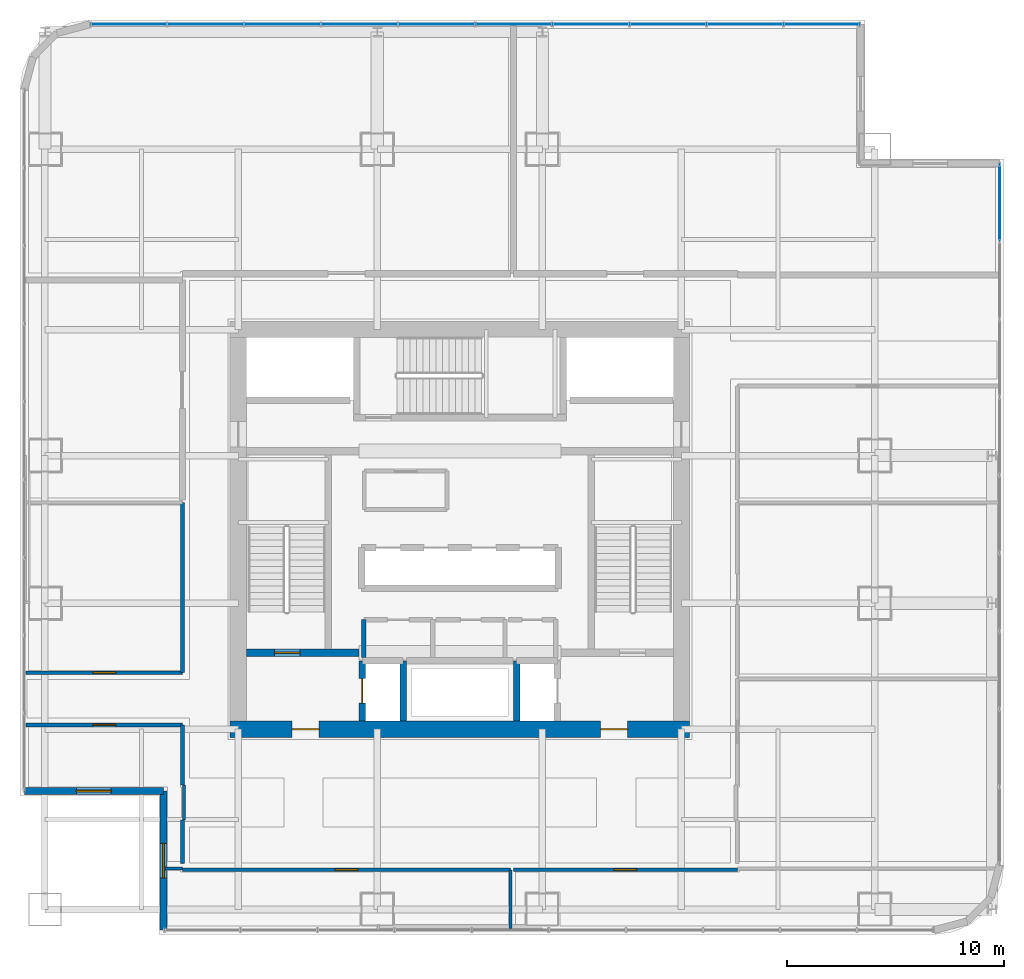
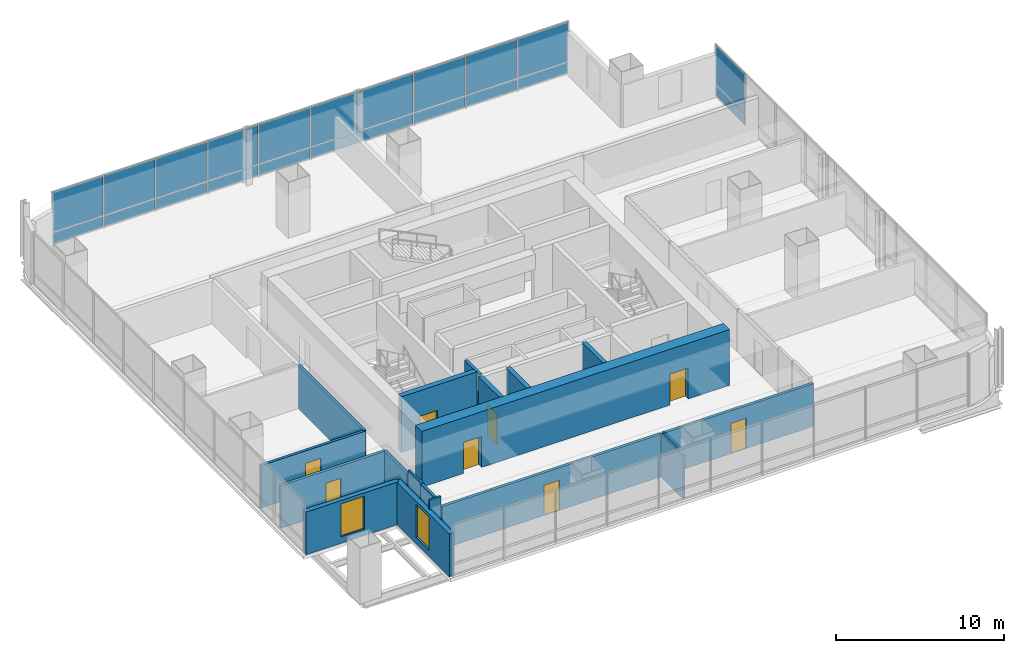
# One storey, part 27 of 35: 22 plates, 18 walls, 8 doors, 2 windows, 10 openings, 2 elements without a shape of their own.
"""IFC4 building model written with IfcOpenShell, lengths in metres."""

from ifc_helpers import new_model, si_unit, direction, frame, frame_2d, origin, origin_2d, place, context, subcontext, project, spatial, rectangle, extrude, material, layer, layer_set, type_object, element, fill, aggregate, save


model = new_model("IFC4")

# Units and contexts
model_context = context("Model", 3, precision=1e-05, world=origin(), true_north=direction((0.0, 1.0)))
body_context = subcontext(model_context, "Body", "Model", "MODEL_VIEW")
ifc_project = project(units=[si_unit("LENGTHUNIT", "METRE"), si_unit("AREAUNIT", "SQUARE_METRE"), si_unit("VOLUMEUNIT", "CUBIC_METRE"), si_unit("PLANEANGLEUNIT", "RADIAN"), si_unit("MASSUNIT", "GRAM", prefix="KILO")], contexts=[model_context])

# Site, building, storey
site_placement = place(None, origin())
site = spatial("IfcSite", under=ifc_project, at=site_placement, CompositionType="ELEMENT")
building_placement = place(site_placement, origin())
building = spatial("IfcBuilding", under=site, at=building_placement, Name="Punatoya Terracotta Tower", CompositionType="ELEMENT")
storey_placement = place(building_placement, frame((0.0, 0.0, 113.25)))
storey = spatial("IfcBuildingStorey", under=building, at=storey_placement, Name="L26", CompositionType="ELEMENT", Elevation=113.25)

# Curtain wall, plate
ifc_material_1 = material(Name="Aluminium 6063-T6 + Double Low-E Glass", Category="aluminium")
curtain_wall_type = type_object("IfcCurtainWallType", Name="CW-M1", PredefinedType="NOTDEFINED", material=ifc_material_1)
curtain_wall_1_placement = place(storey_placement, origin())
curtain_wall_1 = element("IfcCurtainWall", 1, at=curtain_wall_1_placement, inside=storey, type_object=curtain_wall_type, Name="L26 Curtain Wall CW-L26-E05-1", PredefinedType="NOTDEFINED")
ifc_material_2 = material(Name="Double Low-E Clear Vision Glass", Category="glass")
ifc_layer_1 = layer(ifc_material_2, 0.028076171875)
ifc_layer_set_1 = layer_set([ifc_layer_1], Name="Double Low-E Clear Vision Glass")
plate_type_1 = type_object("IfcPlateType", Name="PLT-GLZ-28", PredefinedType="CURTAIN_PANEL", material=ifc_layer_set_1)
plate_1_placement = place(storey_placement, frame((24.85009765625, 15.056396484375, 0.89013671875), z_axis=(0.0, 0.0, 1.0), x_axis=(0.0, 1.0, 0.0)))
plate_1 = element("IfcPlate", 2, at=plate_1_placement, type_object=plate_type_1, Name="CW-L26-E05-1 Vision Glass Panel 9", PredefinedType="CURTAIN_PANEL", context=body_context, shape_type="SweptSolid", body=[
    extrude(rectangle(XDim=3.50244140625, YDim=0.028076171875, at=origin_2d()), origin(), (0.0, 0.0, 1.0), 2.8798828125),
])

# Curtain wall, plates
curtain_wall_2_placement = place(storey_placement, origin())
curtain_wall_2 = element("IfcCurtainWall", 3, at=curtain_wall_2_placement, inside=storey, type_object=curtain_wall_type, Name="L26 Curtain Wall CW-L26-N08-1", PredefinedType="NOTDEFINED")
plate_2_placement = place(storey_placement, frame((16.67578125, 23.25, 0.89013671875), z_axis=(0.0, 0.0, 1.0), x_axis=(-1.0, 0.0, 0.0)))
plate_2 = element("IfcPlate", 4, at=plate_2_placement, type_object=plate_type_1, Name="CW-L26-N08-1 Vision Glass Panel 1", PredefinedType="CURTAIN_PANEL", context=body_context, shape_type="SweptSolid", body=[
    extrude(rectangle(XDim=3.463623046875, YDim=0.028076171875, at=origin_2d()), origin(), (0.0, 0.0, 1.0), 2.8798828125),
])
plate_3_placement = place(storey_placement, frame((13.126953125, 23.25, 0.89013671875), z_axis=(0.0, 0.0, 1.0), x_axis=(-1.0, 0.0, 0.0)))
plate_3 = element("IfcPlate", 5, at=plate_3_placement, type_object=plate_type_1, Name="CW-L26-N08-1 Vision Glass Panel 2", PredefinedType="CURTAIN_PANEL", context=body_context, shape_type="SweptSolid", body=[
    extrude(rectangle(XDim=3.463623046875, YDim=0.028076171875, at=origin_2d()), origin(), (0.0, 0.0, 1.0), 2.8798828125),
])
plate_4_placement = place(storey_placement, frame((9.578369140625, 23.25, 0.89013671875), z_axis=(0.0, 0.0, 1.0), x_axis=(-1.0, 0.0, 0.0)))
plate_4 = element("IfcPlate", 6, at=plate_4_placement, type_object=plate_type_1, Name="CW-L26-N08-1 Vision Glass Panel 3", PredefinedType="CURTAIN_PANEL", context=body_context, shape_type="SweptSolid", body=[
    extrude(rectangle(XDim=3.463623046875, YDim=0.028076171875, at=origin_2d()), origin(), (0.0, 0.0, 1.0), 2.8798828125),
])
plate_5_placement = place(storey_placement, frame((6.029541015625, 23.25, 0.89013671875), z_axis=(0.0, 0.0, 1.0), x_axis=(-1.0, 0.0, 0.0)))
plate_5 = element("IfcPlate", 7, at=plate_5_placement, type_object=plate_type_1, Name="CW-L26-N08-1 Vision Glass Panel 4", PredefinedType="CURTAIN_PANEL", context=body_context, shape_type="SweptSolid", body=[
    extrude(rectangle(XDim=3.463623046875, YDim=0.028076171875, at=origin_2d()), origin(), (0.0, 0.0, 1.0), 2.8798828125),
])
plate_6_placement = place(storey_placement, frame((2.48095703125, 23.25, 0.89013671875), z_axis=(0.0, 0.0, 1.0), x_axis=(-1.0, 0.0, 0.0)))
plate_6 = element("IfcPlate", 8, at=plate_6_placement, type_object=plate_type_1, Name="CW-L26-N08-1 Vision Glass Panel 5", PredefinedType="CURTAIN_PANEL", context=body_context, shape_type="SweptSolid", body=[
    extrude(rectangle(XDim=3.463623046875, YDim=0.028076171875, at=origin_2d()), origin(), (0.0, 0.0, 1.0), 2.8798828125),
])
plate_7_placement = place(storey_placement, frame((-1.06787109375, 23.25, 0.89013671875), z_axis=(0.0, 0.0, 1.0), x_axis=(-1.0, 0.0, 0.0)))
plate_7 = element("IfcPlate", 9, at=plate_7_placement, type_object=plate_type_1, Name="CW-L26-N08-1 Vision Glass Panel 6", PredefinedType="CURTAIN_PANEL", context=body_context, shape_type="SweptSolid", body=[
    extrude(rectangle(XDim=3.463623046875, YDim=0.028076171875, at=origin_2d()), origin(), (0.0, 0.0, 1.0), 2.8798828125),
])
plate_8_placement = place(storey_placement, frame((-4.616455078125, 23.25, 0.89013671875), z_axis=(0.0, 0.0, 1.0), x_axis=(-1.0, 0.0, 0.0)))
plate_8 = element("IfcPlate", 10, at=plate_8_placement, type_object=plate_type_1, Name="CW-L26-N08-1 Vision Glass Panel 7", PredefinedType="CURTAIN_PANEL", context=body_context, shape_type="SweptSolid", body=[
    extrude(rectangle(XDim=3.463623046875, YDim=0.028076171875, at=origin_2d()), origin(), (0.0, 0.0, 1.0), 2.8798828125),
])
plate_9_placement = place(storey_placement, frame((-8.165283203125, 23.25, 0.89013671875), z_axis=(0.0, 0.0, 1.0), x_axis=(-1.0, 0.0, 0.0)))
plate_9 = element("IfcPlate", 11, at=plate_9_placement, type_object=plate_type_1, Name="CW-L26-N08-1 Vision Glass Panel 8", PredefinedType="CURTAIN_PANEL", context=body_context, shape_type="SweptSolid", body=[
    extrude(rectangle(XDim=3.463623046875, YDim=0.028076171875, at=origin_2d()), origin(), (0.0, 0.0, 1.0), 2.8798828125),
])
plate_10_placement = place(storey_placement, frame((-11.7138671875, 23.25, 0.89013671875), z_axis=(0.0, 0.0, 1.0), x_axis=(-1.0, 0.0, 0.0)))
plate_10 = element("IfcPlate", 12, at=plate_10_placement, type_object=plate_type_1, Name="CW-L26-N08-1 Vision Glass Panel 9", PredefinedType="CURTAIN_PANEL", context=body_context, shape_type="SweptSolid", body=[
    extrude(rectangle(XDim=3.463623046875, YDim=0.028076171875, at=origin_2d()), origin(), (0.0, 0.0, 1.0), 2.8798828125),
])
plate_11_placement = place(storey_placement, frame((-15.2626953125, 23.25, 0.89013671875), z_axis=(0.0, 0.0, 1.0), x_axis=(-1.0, 0.0, 0.0)))
plate_11 = element("IfcPlate", 13, at=plate_11_placement, type_object=plate_type_1, Name="CW-L26-N08-1 Vision Glass Panel 10", PredefinedType="CURTAIN_PANEL", context=body_context, shape_type="SweptSolid", body=[
    extrude(rectangle(XDim=3.463623046875, YDim=0.028076171875, at=origin_2d()), origin(), (0.0, 0.0, 1.0), 2.8798828125),
])

# Plate
ifc_material_3 = material(Name="Insulated Terracotta-Backed Spandrel Panel", Category="masonry")
ifc_layer_2 = layer(ifc_material_3, 0.044921875)
ifc_layer_set_2 = layer_set([ifc_layer_2], Name="Insulated Terracotta-Backed Spandrel Panel")
plate_type_2 = type_object("IfcPlateType", Name="PLT-SPN-45", PredefinedType="CURTAIN_PANEL", material=ifc_layer_set_2)
plate_12_placement = place(storey_placement, frame((24.85009765625, 15.056396484375, 0.0400390625), z_axis=(0.0, 0.0, 1.0), x_axis=(0.0, 1.0, 0.0)))
plate_12 = element("IfcPlate", 14, at=plate_12_placement, type_object=plate_type_2, Name="CW-L26-E05-1 Terracotta Spandrel Panel 9", PredefinedType="CURTAIN_PANEL", context=body_context, shape_type="SweptSolid", body=[
    extrude(rectangle(XDim=3.50244140625, YDim=0.044921875, at=origin_2d()), origin(), (0.0, 0.0, 1.0), 0.77490234375),
])

aggregate(curtain_wall_1, [plate_12, plate_1])

plate_13_placement = place(storey_placement, frame((16.67578125, 23.25, 0.0400390625), z_axis=(0.0, 0.0, 1.0), x_axis=(-1.0, 0.0, 0.0)))
plate_13 = element("IfcPlate", 15, at=plate_13_placement, type_object=plate_type_2, Name="CW-L26-N08-1 Terracotta Spandrel Panel 1", PredefinedType="CURTAIN_PANEL", context=body_context, shape_type="SweptSolid", body=[
    extrude(rectangle(XDim=3.463623046875, YDim=0.044921875, at=origin_2d()), origin(), (0.0, 0.0, 1.0), 0.77490234375),
])

plate_14_placement = place(storey_placement, frame((13.126953125, 23.25, 0.0400390625), z_axis=(0.0, 0.0, 1.0), x_axis=(-1.0, 0.0, 0.0)))
plate_14 = element("IfcPlate", 16, at=plate_14_placement, type_object=plate_type_2, Name="CW-L26-N08-1 Terracotta Spandrel Panel 2", PredefinedType="CURTAIN_PANEL", context=body_context, shape_type="SweptSolid", body=[
    extrude(rectangle(XDim=3.463623046875, YDim=0.044921875, at=origin_2d()), origin(), (0.0, 0.0, 1.0), 0.77490234375),
])

plate_15_placement = place(storey_placement, frame((9.578369140625, 23.25, 0.0400390625), z_axis=(0.0, 0.0, 1.0), x_axis=(-1.0, 0.0, 0.0)))
plate_15 = element("IfcPlate", 17, at=plate_15_placement, type_object=plate_type_2, Name="CW-L26-N08-1 Terracotta Spandrel Panel 3", PredefinedType="CURTAIN_PANEL", context=body_context, shape_type="SweptSolid", body=[
    extrude(rectangle(XDim=3.463623046875, YDim=0.044921875, at=origin_2d()), origin(), (0.0, 0.0, 1.0), 0.77490234375),
])

plate_16_placement = place(storey_placement, frame((6.029541015625, 23.25, 0.0400390625), z_axis=(0.0, 0.0, 1.0), x_axis=(-1.0, 0.0, 0.0)))
plate_16 = element("IfcPlate", 18, at=plate_16_placement, type_object=plate_type_2, Name="CW-L26-N08-1 Terracotta Spandrel Panel 4", PredefinedType="CURTAIN_PANEL", context=body_context, shape_type="SweptSolid", body=[
    extrude(rectangle(XDim=3.463623046875, YDim=0.044921875, at=origin_2d()), origin(), (0.0, 0.0, 1.0), 0.77490234375),
])

plate_17_placement = place(storey_placement, frame((2.48095703125, 23.25, 0.0400390625), z_axis=(0.0, 0.0, 1.0), x_axis=(-1.0, 0.0, 0.0)))
plate_17 = element("IfcPlate", 19, at=plate_17_placement, type_object=plate_type_2, Name="CW-L26-N08-1 Terracotta Spandrel Panel 5", PredefinedType="CURTAIN_PANEL", context=body_context, shape_type="SweptSolid", body=[
    extrude(rectangle(XDim=3.463623046875, YDim=0.044921875, at=origin_2d()), origin(), (0.0, 0.0, 1.0), 0.77490234375),
])

plate_18_placement = place(storey_placement, frame((-1.06787109375, 23.25, 0.0400390625), z_axis=(0.0, 0.0, 1.0), x_axis=(-1.0, 0.0, 0.0)))
plate_18 = element("IfcPlate", 20, at=plate_18_placement, type_object=plate_type_2, Name="CW-L26-N08-1 Terracotta Spandrel Panel 6", PredefinedType="CURTAIN_PANEL", context=body_context, shape_type="SweptSolid", body=[
    extrude(rectangle(XDim=3.463623046875, YDim=0.044921875, at=origin_2d()), origin(), (0.0, 0.0, 1.0), 0.77490234375),
])

plate_19_placement = place(storey_placement, frame((-4.616455078125, 23.25, 0.0400390625), z_axis=(0.0, 0.0, 1.0), x_axis=(-1.0, 0.0, 0.0)))
plate_19 = element("IfcPlate", 21, at=plate_19_placement, type_object=plate_type_2, Name="CW-L26-N08-1 Terracotta Spandrel Panel 7", PredefinedType="CURTAIN_PANEL", context=body_context, shape_type="SweptSolid", body=[
    extrude(rectangle(XDim=3.463623046875, YDim=0.044921875, at=origin_2d()), origin(), (0.0, 0.0, 1.0), 0.77490234375),
])

plate_20_placement = place(storey_placement, frame((-8.165283203125, 23.25, 0.0400390625), z_axis=(0.0, 0.0, 1.0), x_axis=(-1.0, 0.0, 0.0)))
plate_20 = element("IfcPlate", 22, at=plate_20_placement, type_object=plate_type_2, Name="CW-L26-N08-1 Terracotta Spandrel Panel 8", PredefinedType="CURTAIN_PANEL", context=body_context, shape_type="SweptSolid", body=[
    extrude(rectangle(XDim=3.463623046875, YDim=0.044921875, at=origin_2d()), origin(), (0.0, 0.0, 1.0), 0.77490234375),
])

plate_21_placement = place(storey_placement, frame((-11.7138671875, 23.25, 0.0400390625), z_axis=(0.0, 0.0, 1.0), x_axis=(-1.0, 0.0, 0.0)))
plate_21 = element("IfcPlate", 23, at=plate_21_placement, type_object=plate_type_2, Name="CW-L26-N08-1 Terracotta Spandrel Panel 9", PredefinedType="CURTAIN_PANEL", context=body_context, shape_type="SweptSolid", body=[
    extrude(rectangle(XDim=3.463623046875, YDim=0.044921875, at=origin_2d()), origin(), (0.0, 0.0, 1.0), 0.77490234375),
])

plate_22_placement = place(storey_placement, frame((-15.2626953125, 23.25, 0.0400390625), z_axis=(0.0, 0.0, 1.0), x_axis=(-1.0, 0.0, 0.0)))
plate_22 = element("IfcPlate", 24, at=plate_22_placement, type_object=plate_type_2, Name="CW-L26-N08-1 Terracotta Spandrel Panel 10", PredefinedType="CURTAIN_PANEL", context=body_context, shape_type="SweptSolid", body=[
    extrude(rectangle(XDim=3.463623046875, YDim=0.044921875, at=origin_2d()), origin(), (0.0, 0.0, 1.0), 0.77490234375),
])

aggregate(curtain_wall_2, [plate_13, plate_2, plate_14, plate_3, plate_15, plate_4, plate_16, plate_5, plate_17, plate_6, plate_18, plate_7, plate_19, plate_8, plate_20, plate_9, plate_21, plate_10, plate_22, plate_11])

# Wall, openings, doors
ifc_material_4 = material(Name="Concrete C60/75", Category="concrete")
ifc_layer_3 = layer(ifc_material_4, 0.75)
ifc_layer_set_3 = layer_set([ifc_layer_3], Name="Concrete C60/75")
wall_type_1 = type_object("IfcWallType", Name="WL-COR-750", PredefinedType="SHEAR", material=ifc_layer_set_3)
wall_1_placement = place(storey_placement, frame((10.574951171875, -9.199951171875, 0.0), z_axis=(0.0, 0.0, 1.0), x_axis=(-1.0, 0.0, 0.0)))
wall_1 = element("IfcWall", 25, at=wall_1_placement, inside=storey, type_object=wall_type_1, Name="L26 Core Shear Wall S", PredefinedType="SHEAR", context=body_context, shape_type="SweptSolid", body=[
    extrude(rectangle(XDim=21.14990234375, YDim=0.75, at=frame_2d((10.574951171875, 0.0))), origin(), (0.0, 0.0, 1.0), 4.050048828125),
])
opening_1_placement = place(wall_1_placement, frame((2.85009765625, 0.0, 0.0)))
opening_1 = element("IfcOpeningElement", 26, at=opening_1_placement, cuts=wall_1, Name="Opening FD-L1", PredefinedType="OPENING", context=body_context, shape_type="SweptSolid", body=[
    extrude(rectangle(XDim=1.25, YDim=2.25, at=frame_2d((0.625, 1.125))), frame((0.0, 0.385009765625, 0.0), z_axis=(0.0, -1.0, 0.0), x_axis=(1.0, 0.0, 0.0)), (0.0, 0.0, 1.0), 0.77001953125),
])
opening_2_placement = place(wall_1_placement, frame((17.050048828125, 0.0, 0.0)))
opening_2 = element("IfcOpeningElement", 27, at=opening_2_placement, cuts=wall_1, Name="Opening FD-L1", PredefinedType="OPENING", context=body_context, shape_type="SweptSolid", body=[
    extrude(rectangle(XDim=1.25, YDim=2.25, at=frame_2d((0.625, 1.125))), frame((0.0, 0.385009765625, 0.0), z_axis=(0.0, -1.0, 0.0), x_axis=(1.0, 0.0, 0.0)), (0.0, 0.0, 1.0), 0.77001953125),
])
ifc_material_5 = material(Name="Galvanised Steel Smokeproof Fire Door", Category="steel")
door_type_1 = type_object("IfcDoorType", Name="DR-FFL-1250", OperationType="NOTDEFINED", PredefinedType="DOOR", material=ifc_material_5)
door_1_placement = place(opening_1_placement, origin())
door_1 = element("IfcDoor", 28, at=door_1_placement, inside=storey, type_object=door_type_1, Name="L26 East Firefighting Lobby Corridor Fire Door", OperationType="SINGLE_SWING_LEFT", OverallHeight=2.25, OverallWidth=1.25, PredefinedType="DOOR", context=body_context, shape_type="SweptSolid", body=[
    extrude(rectangle(XDim=1.25, YDim=2.25, at=frame_2d((0.625, 1.125))), frame((0.0, 0.02490234375, 0.0), z_axis=(0.0, -1.0, 0.0), x_axis=(1.0, 0.0, 0.0)), (0.0, 0.0, 1.0), 0.050048828125),
])
fill(opening_1, door_1)
door_2_placement = place(opening_2_placement, origin())
door_2 = element("IfcDoor", 29, at=door_2_placement, inside=storey, type_object=door_type_1, Name="L26 West Firefighting Lobby Corridor Fire Door", OperationType="SINGLE_SWING_RIGHT", OverallHeight=2.25, OverallWidth=1.25, PredefinedType="DOOR", context=body_context, shape_type="SweptSolid", body=[
    extrude(rectangle(XDim=1.25, YDim=2.25, at=frame_2d((0.625, 1.125))), frame((0.0, 0.02490234375, 0.0), z_axis=(0.0, -1.0, 0.0), x_axis=(1.0, 0.0, 0.0)), (0.0, 0.0, 1.0), 0.050048828125),
])
fill(opening_2, door_2)

# Wall, opening, door
ifc_material_6 = material(Name="Gypsum Fireboard + Steel Stud", Category="steel")
ifc_layer_4 = layer(ifc_material_6, 0.179931640625)
ifc_layer_set_4 = layer_set([ifc_layer_4], Name="Gypsum Fireboard + Steel Stud")
wall_type_2 = type_object("IfcWallType", Name="WL-CORR-180", PredefinedType="PARTITIONING", material=ifc_layer_set_4)
wall_2_placement = place(storey_placement, frame((-12.77001953125, -15.669921875, 0.0), z_axis=(0.0, 0.0, 1.0), x_axis=(1.0, 0.0, 0.0)))
wall_2 = element("IfcWall", 30, at=wall_2_placement, inside=storey, type_object=wall_type_2, Name="L26 Open-Plan Client Dining Salon Partition 12", PredefinedType="PARTITIONING", context=body_context, shape_type="SweptSolid", body=[
    extrude(rectangle(XDim=15.110107421875, YDim=0.179931640625, at=frame_2d((7.55517578125, 0.0))), origin(), (0.0, 0.0, 1.0), 3.10400390625),
])
opening_3_placement = place(wall_2_placement, frame((7.030029296875, 0.0, 0.0)))
opening_3 = element("IfcOpeningElement", 31, at=opening_3_placement, cuts=wall_2, Name="Opening OD-01", PredefinedType="OPENING", context=body_context, shape_type="SweptSolid", body=[
    extrude(rectangle(XDim=1.050048828125, YDim=2.199951171875, at=frame_2d((0.52490234375, 1.10009765625))), frame((0.0, 0.099853515625, 0.0), z_axis=(0.0, -1.0, 0.0), x_axis=(1.0, 0.0, 0.0)), (0.0, 0.0, 1.0), 0.199951171875),
])
ifc_material_7 = material(Name="Bengal Teak Solid-Core Leaf")
door_type_2 = type_object("IfcDoorType", Name="DR-OFF-1050", OperationType="NOTDEFINED", PredefinedType="DOOR", material=ifc_material_7)
door_3_placement = place(opening_3_placement, origin())
door_3 = element("IfcDoor", 32, at=door_3_placement, inside=storey, type_object=door_type_2, Name="L26 Open-Plan Client Dining Salon Door", OperationType="SINGLE_SWING_LEFT", OverallHeight=2.199951171875, OverallWidth=1.050048828125, PredefinedType="DOOR", context=body_context, shape_type="SweptSolid", body=[
    extrude(rectangle(XDim=1.050048828125, YDim=2.199951171875, at=frame_2d((0.52490234375, 1.10009765625))), frame((0.0, 0.02490234375, 0.0), z_axis=(0.0, -1.0, 0.0), x_axis=(1.0, 0.0, 0.0)), (0.0, 0.0, 1.0), 0.050048828125),
])
fill(opening_3, door_3)

wall_3_placement = place(storey_placement, frame((2.4599609375, -15.669921875, 0.0), z_axis=(0.0, 0.0, 1.0), x_axis=(1.0, 0.0, 0.0)))
wall_3 = element("IfcWall", 33, at=wall_3_placement, inside=storey, type_object=wall_type_2, Name="L26 Open-Plan Executive Bistro Lounge Partition 16", PredefinedType="PARTITIONING", context=body_context, shape_type="SweptSolid", body=[
    extrude(rectangle(XDim=10.31005859375, YDim=0.179931640625, at=frame_2d((5.155029296875, 0.0))), origin(), (0.0, 0.0, 1.0), 3.10400390625),
])
opening_4_placement = place(wall_3_placement, frame((4.6298828125, 0.0, 0.0)))
opening_4 = element("IfcOpeningElement", 34, at=opening_4_placement, cuts=wall_3, Name="Opening OD-01", PredefinedType="OPENING", context=body_context, shape_type="SweptSolid", body=[
    extrude(rectangle(XDim=1.050048828125, YDim=2.199951171875, at=frame_2d((0.52490234375, 1.10009765625))), frame((0.0, 0.099853515625, 0.0), z_axis=(0.0, -1.0, 0.0), x_axis=(1.0, 0.0, 0.0)), (0.0, 0.0, 1.0), 0.199951171875),
])
door_4_placement = place(opening_4_placement, origin())
door_4 = element("IfcDoor", 35, at=door_4_placement, inside=storey, type_object=door_type_2, Name="L26 Open-Plan Executive Bistro Lounge Door", OperationType="SINGLE_SWING_RIGHT", OverallHeight=2.199951171875, OverallWidth=1.050048828125, PredefinedType="DOOR", context=body_context, shape_type="SweptSolid", body=[
    extrude(rectangle(XDim=1.050048828125, YDim=2.199951171875, at=frame_2d((0.52490234375, 1.10009765625))), frame((0.0, 0.02490234375, 0.0), z_axis=(0.0, -1.0, 0.0), x_axis=(1.0, 0.0, 0.0)), (0.0, 0.0, 1.0), 0.050048828125),
])
fill(opening_4, door_4)

wall_4_placement = place(storey_placement, frame((-19.969970703125, -9.0, 0.0), z_axis=(0.0, 0.0, 1.0), x_axis=(1.0, 0.0, 0.0)))
wall_4 = element("IfcWall", 36, at=wall_4_placement, inside=storey, type_object=wall_type_2, Name="L26 Visitor Reception Salon Partition 21", PredefinedType="PARTITIONING", context=body_context, shape_type="SweptSolid", body=[
    extrude(rectangle(XDim=7.199951171875, YDim=0.179931640625, at=frame_2d((3.60009765625, 0.0))), origin(), (0.0, 0.0, 1.0), 3.10400390625),
])
opening_5_placement = place(wall_4_placement, frame((3.074951171875, 0.0, 0.0)))
opening_5 = element("IfcOpeningElement", 37, at=opening_5_placement, cuts=wall_4, Name="Opening OD-01", PredefinedType="OPENING", context=body_context, shape_type="SweptSolid", body=[
    extrude(rectangle(XDim=1.050048828125, YDim=2.199951171875, at=frame_2d((0.52490234375, 1.10009765625))), frame((0.0, 0.099853515625, 0.0), z_axis=(0.0, -1.0, 0.0), x_axis=(1.0, 0.0, 0.0)), (0.0, 0.0, 1.0), 0.199951171875),
])
door_5_placement = place(opening_5_placement, origin())
door_5 = element("IfcDoor", 38, at=door_5_placement, inside=storey, type_object=door_type_2, Name="L26 Visitor Reception Salon Door", OperationType="SINGLE_SWING_RIGHT", OverallHeight=2.199951171875, OverallWidth=1.050048828125, PredefinedType="DOOR", context=body_context, shape_type="SweptSolid", body=[
    extrude(rectangle(XDim=1.050048828125, YDim=2.199951171875, at=frame_2d((0.52490234375, 1.10009765625))), frame((0.0, 0.02490234375, 0.0), z_axis=(0.0, -1.0, 0.0), x_axis=(1.0, 0.0, 0.0)), (0.0, 0.0, 1.0), 0.050048828125),
])
fill(opening_5, door_5)

# Walls
wall_5_placement = place(storey_placement, frame((-12.77001953125, -9.0, 0.0), z_axis=(0.0, 0.0, 1.0), x_axis=(0.0, -1.0, 0.0)))
element("IfcWall", 39, at=wall_5_placement, inside=storey, type_object=wall_type_2, Name="L26 Visitor Reception Salon Partition 22", PredefinedType="PARTITIONING", context=body_context, shape_type="SweptSolid", body=[
    extrude(rectangle(XDim=2.77001953125, YDim=0.179931640625, at=frame_2d((1.385009765625, 0.0))), origin(), (0.0, 0.0, 1.0), 3.10400390625),
])
wall_6_placement = place(storey_placement, frame((-12.77001953125, -13.3798828125, 0.0), z_axis=(0.0, 0.0, 1.0), x_axis=(0.0, -1.0, 0.0)))
element("IfcWall", 40, at=wall_6_placement, inside=storey, type_object=wall_type_2, Name="L26 Visitor Reception Salon Partition 24", PredefinedType="PARTITIONING", context=body_context, shape_type="SweptSolid", body=[
    extrude(rectangle(XDim=2.010009765625, YDim=0.179931640625, at=frame_2d((1.0048828125, 0.0))), origin(), (0.0, 0.0, 1.0), 3.35400390625),
])

# Wall, opening, door
wall_7_placement = place(storey_placement, frame((-12.77001953125, -6.60009765625, 0.0), z_axis=(0.0, 0.0, 1.0), x_axis=(-1.0, 0.0, 0.0)))
wall_7 = element("IfcWall", 41, at=wall_7_placement, inside=storey, type_object=wall_type_2, Name="L26 Open-Plan Wellness Relaxation Lounge Partition 27", PredefinedType="PARTITIONING", context=body_context, shape_type="SweptSolid", body=[
    extrude(rectangle(XDim=7.199951171875, YDim=0.179931640625, at=frame_2d((3.60009765625, 0.0))), origin(), (0.0, 0.0, 1.0), 3.10400390625),
])
opening_6_placement = place(wall_7_placement, frame((3.074951171875, 0.0, 0.0)))
opening_6 = element("IfcOpeningElement", 42, at=opening_6_placement, cuts=wall_7, Name="Opening OD-01", PredefinedType="OPENING", context=body_context, shape_type="SweptSolid", body=[
    extrude(rectangle(XDim=1.050048828125, YDim=2.199951171875, at=frame_2d((0.52490234375, 1.10009765625))), frame((0.0, 0.099853515625, 0.0), z_axis=(0.0, -1.0, 0.0), x_axis=(1.0, 0.0, 0.0)), (0.0, 0.0, 1.0), 0.199951171875),
])
door_6_placement = place(opening_6_placement, origin())
door_6 = element("IfcDoor", 43, at=door_6_placement, inside=storey, type_object=door_type_2, Name="L26 Open-Plan Wellness Relaxation Lounge Door", OperationType="SINGLE_SWING_RIGHT", OverallHeight=2.199951171875, OverallWidth=1.050048828125, PredefinedType="DOOR", context=body_context, shape_type="SweptSolid", body=[
    extrude(rectangle(XDim=1.050048828125, YDim=2.199951171875, at=frame_2d((0.52490234375, 1.10009765625))), frame((0.0, 0.02490234375, 0.0), z_axis=(0.0, -1.0, 0.0), x_axis=(1.0, 0.0, 0.0)), (0.0, 0.0, 1.0), 0.050048828125),
])
fill(opening_6, door_6)

# Wall
wall_8_placement = place(storey_placement, frame((-12.77001953125, 1.22998046875, 0.0), z_axis=(0.0, 0.0, 1.0), x_axis=(0.0, -1.0, 0.0)))
element("IfcWall", 44, at=wall_8_placement, inside=storey, type_object=wall_type_2, Name="L26 Open-Plan Wellness Relaxation Lounge Partition 29", PredefinedType="PARTITIONING", context=body_context, shape_type="SweptSolid", body=[
    extrude(rectangle(XDim=7.830078125, YDim=0.179931640625, at=frame_2d((3.9150390625, 0.0))), origin(), (0.0, 0.0, 1.0), 3.10400390625),
])

# Wall, opening, window
ifc_material_8 = material(Name="Precast concrete C40/50", Category="concrete")
ifc_layer_5 = layer(ifc_material_8, 0.320068359375)
ifc_layer_set_5 = layer_set([ifc_layer_5], Name="Precast concrete C40/50")
wall_type_3 = type_object("IfcWallType", Name="WL-EXT-320", PredefinedType="SOLIDWALL", material=ifc_layer_set_5)
wall_9_placement = place(storey_placement, frame((-20.050048828125, -12.050048828125, 0.0), z_axis=(0.0, 0.0, 1.0), x_axis=(1.0, 0.0, 0.0)))
wall_9 = element("IfcWall", 45, at=wall_9_placement, inside=storey, type_object=wall_type_3, Name="L26 Recessed Corner-Slot Terracotta Wall 13", PredefinedType="SOLIDWALL", context=body_context, shape_type="SweptSolid", body=[
    extrude(rectangle(XDim=6.400146484375, YDim=0.320068359375, at=frame_2d((3.2001953125, 0.0))), origin(), (0.0, 0.0, 1.0), 3.10400390625),
])
opening_7_placement = place(wall_9_placement, frame((2.39990234375, 0.0, 0.464111328125)))
opening_7 = element("IfcOpeningElement", 46, at=opening_7_placement, cuts=wall_9, Name="Opening WN-03", PredefinedType="OPENING", context=body_context, shape_type="SweptSolid", body=[
    extrude(rectangle(XDim=1.60009765625, YDim=2.39990234375, at=frame_2d((0.800048828125, 1.199951171875))), frame((0.0, 0.169921875, 0.0), z_axis=(0.0, -1.0, 0.0), x_axis=(1.0, 0.0, 0.0)), (0.0, 0.0, 1.0), 0.340087890625),
])
window_type = type_object("IfcWindowType", Name="WIN-OFF-1600", PartitioningType="SINGLE_PANEL", PredefinedType="WINDOW", material=ifc_material_1)
window_1_placement = place(opening_7_placement, origin())
window_1 = element("IfcWindow", 47, at=window_1_placement, inside=storey, type_object=window_type, Name="L26 Corner-Slot Punched Window 13", OverallHeight=2.39990234375, OverallWidth=1.60009765625, PartitioningType="SINGLE_PANEL", PredefinedType="WINDOW", context=body_context, shape_type="SweptSolid", body=[
    extrude(rectangle(XDim=1.60009765625, YDim=2.39990234375, at=frame_2d((0.800048828125, 1.199951171875))), frame((0.0, 0.030029296875, 0.0), z_axis=(0.0, -1.0, 0.0), x_axis=(1.0, 0.0, 0.0)), (0.0, 0.0, 1.0), 0.06005859375),
])
fill(opening_7, window_1)

wall_10_placement = place(storey_placement, frame((-13.64990234375, -12.050048828125, 0.0), z_axis=(0.0, 0.0, 1.0), x_axis=(0.0, -1.0, 0.0)))
wall_10 = element("IfcWall", 48, at=wall_10_placement, inside=storey, type_object=wall_type_3, Name="L26 Recessed Corner-Slot Terracotta Wall 14", PredefinedType="SOLIDWALL", context=body_context, shape_type="SweptSolid", body=[
    extrude(rectangle(XDim=6.39990234375, YDim=0.320068359375, at=frame_2d((3.199951171875, 0.0))), origin(), (0.0, 0.0, 1.0), 3.10400390625),
])
opening_8_placement = place(wall_10_placement, frame((2.39990234375, 0.0, 0.464111328125)))
opening_8 = element("IfcOpeningElement", 49, at=opening_8_placement, cuts=wall_10, Name="Opening WN-03", PredefinedType="OPENING", context=body_context, shape_type="SweptSolid", body=[
    extrude(rectangle(XDim=1.60009765625, YDim=2.39990234375, at=frame_2d((0.800048828125, 1.199951171875))), frame((0.0, 0.169921875, 0.0), z_axis=(0.0, -1.0, 0.0), x_axis=(1.0, 0.0, 0.0)), (0.0, 0.0, 1.0), 0.340087890625),
])
window_2_placement = place(opening_8_placement, origin())
window_2 = element("IfcWindow", 50, at=window_2_placement, inside=storey, type_object=window_type, Name="L26 Corner-Slot Punched Window 14", OverallHeight=2.39990234375, OverallWidth=1.60009765625, PartitioningType="SINGLE_PANEL", PredefinedType="WINDOW", context=body_context, shape_type="SweptSolid", body=[
    extrude(rectangle(XDim=1.60009765625, YDim=2.39990234375, at=frame_2d((0.800048828125, 1.199951171875))), frame((0.0, 0.030029296875, 0.0), z_axis=(0.0, -1.0, 0.0), x_axis=(1.0, 0.0, 0.0)), (0.0, 0.0, 1.0), 0.06005859375),
])
fill(opening_8, window_2)

# Walls
ifc_material_9 = material(Name="Concrete C40/50", Category="concrete")
ifc_layer_6 = layer(ifc_material_9, 0.199951171875)
ifc_layer_set_6 = layer_set([ifc_layer_6], Name="Concrete C40/50")
wall_type_4 = type_object("IfcWallType", Name="WL-INT-200", PredefinedType="SOLIDWALL", material=ifc_layer_set_6)
wall_11_placement = place(storey_placement, frame((-4.419921875, -4.159912109375, 0.0), z_axis=(0.0, 0.0, 1.0), x_axis=(0.0, -1.0, 0.0)))
element("IfcWall", 51, at=wall_11_placement, inside=storey, type_object=wall_type_4, Name="L26 Accessible Universal Washroom Partition 03", PredefinedType="SOLIDWALL", context=body_context, shape_type="SweptSolid", body=[
    extrude(rectangle(XDim=1.739990234375, YDim=0.199951171875, at=frame_2d((0.8701171875, 0.0))), origin(), (0.0, 0.0, 1.0), 3.81005859375),
])
ifc_material_10 = material(Name="Acoustic Gypsum + Steel Stud", Category="steel")
ifc_layer_7 = layer(ifc_material_10, 0.139892578125)
ifc_layer_set_7 = layer_set([ifc_layer_7], Name="Acoustic Gypsum + Steel Stud")
wall_type_5 = type_object("IfcWallType", Name="WL-OFF-140", PredefinedType="PARTITIONING", material=ifc_layer_set_7)
wall_12_placement = place(storey_placement, frame((2.340087890625, -15.669921875, 0.0), z_axis=(0.0, 0.0, 1.0), x_axis=(0.0, -1.0, 0.0)))
element("IfcWall", 52, at=wall_12_placement, inside=storey, type_object=wall_type_5, Name="L26 Open-Plan Client Dining Salon Partition 13", PredefinedType="PARTITIONING", context=body_context, shape_type="SweptSolid", body=[
    extrude(rectangle(XDim=2.7001953125, YDim=0.139892578125, at=frame_2d((1.35009765625, 0.0))), origin(), (0.0, 0.0, 1.0), 3.10400390625),
])
wall_13_placement = place(storey_placement, frame((-13.570068359375, -15.610107421875, 0.0), z_axis=(0.0, 0.0, 1.0), x_axis=(1.0, 0.0, 0.0)))
element("IfcWall", 53, at=wall_13_placement, inside=storey, type_object=wall_type_5, Name="L26 Open-Plan Client Dining Salon Partition 14", PredefinedType="PARTITIONING", context=body_context, shape_type="SweptSolid", body=[
    extrude(rectangle(XDim=0.800048828125, YDim=0.139892578125, at=frame_2d((0.39990234375, 0.0))), origin(), (0.0, 0.0, 1.0), 3.81005859375),
])
wall_14_placement = place(storey_placement, frame((-12.7099609375, -11.77001953125, 0.0), z_axis=(0.0, 0.0, 1.0), x_axis=(0.0, -1.0, 0.0)))
element("IfcWall", 54, at=wall_14_placement, inside=storey, type_object=wall_type_5, Name="L26 Visitor Reception Salon Partition 23", PredefinedType="PARTITIONING", context=body_context, shape_type="SweptSolid", body=[
    extrude(rectangle(XDim=1.60986328125, YDim=0.139892578125, at=frame_2d((0.804931640625, 0.0))), origin(), (0.0, 0.0, 1.0), 3.35400390625),
])

# Wall, opening, door
ifc_layer_8 = layer(ifc_material_9, 0.300048828125)
ifc_layer_set_8 = layer_set([ifc_layer_8], Name="Concrete C40/50")
wall_type_6 = type_object("IfcWallType", Name="WL-SHF-300", PredefinedType="SOLIDWALL", material=ifc_layer_set_8)
wall_15_placement = place(storey_placement, frame((-4.489990234375, -8.820068359375, 0.0), z_axis=(0.0, 0.0, 1.0), x_axis=(0.0, 1.0, 0.0)))
wall_15 = element("IfcWall", 55, at=wall_15_placement, inside=storey, type_object=wall_type_6, Name="L26 FFL-1 Front Hoistway Wall", PredefinedType="SOLIDWALL", context=body_context, shape_type="SweptSolid", body=[
    extrude(rectangle(XDim=2.77001953125, YDim=0.300048828125, at=frame_2d((1.385009765625, 0.0))), origin(), (0.0, 0.0, 1.0), 3.81005859375),
])
opening_9_placement = place(wall_15_placement, frame((0.824951171875, 0.0, 0.0)))
opening_9 = element("IfcOpeningElement", 56, at=opening_9_placement, cuts=wall_15, Name="Opening LD-02", PredefinedType="OPENING", context=body_context, shape_type="SweptSolid", body=[
    extrude(rectangle(XDim=1.1201171875, YDim=2.25, at=frame_2d((0.56005859375, 1.125))), frame((0.0, 0.159912109375, 0.0), z_axis=(0.0, -1.0, 0.0), x_axis=(1.0, 0.0, 0.0)), (0.0, 0.0, 1.0), 0.320068359375),
])
ifc_material_11 = material(Name="Stainless Steel Lift Landing Door", Category="steel")
door_type_3 = type_object("IfcDoorType", Name="DR-LND-1120", OperationType="NOTDEFINED", PredefinedType="DOOR", material=ifc_material_11)
door_7_placement = place(opening_9_placement, origin())
door_7 = element("IfcDoor", 57, at=door_7_placement, inside=storey, type_object=door_type_3, Name="L26 Firefighting Lift FFL-1 Sliding Landing Door", OperationType="SLIDING_TO_LEFT", OverallHeight=2.25, OverallWidth=1.1201171875, PredefinedType="DOOR", context=body_context, shape_type="SweptSolid", body=[
    extrude(rectangle(XDim=1.1201171875, YDim=2.25, at=frame_2d((0.56005859375, 1.125))), frame((0.0, 0.02490234375, 0.0), z_axis=(0.0, -1.0, 0.0), x_axis=(1.0, 0.0, 0.0)), (0.0, 0.0, 1.0), 0.050048828125),
])
fill(opening_9, door_7)

# Walls
for number, where, z_axis, x_axis, name in (
    (58, (-2.610107421875, -8.820068359375, 0.0), (0.0, 0.0, 1.0), (0.0, 1.0, 0.0), "L26 FFL-1 Rear Hoistway Wall"),
    (59, (2.610107421875, -8.820068359375, 0.0), (0.0, 0.0, 1.0), (0.0, 1.0, 0.0), "L26 FFL-2 Rear Hoistway Wall"),
):
    element("IfcWall", number, at=place(storey_placement, frame(where, z_axis=z_axis, x_axis=x_axis)), inside=storey, type_object=wall_type_6, Name=name, PredefinedType="SOLIDWALL", context=body_context, shape_type="SweptSolid", body=[
        extrude(rectangle(XDim=2.77001953125, YDim=0.300048828125, at=frame_2d((1.385009765625, 0.0))), origin(), (0.0, 0.0, 1.0), 3.81005859375),
    ])

# Wall, opening, door
ifc_material_12 = material(Name="Concrete C50/60", Category="concrete")
ifc_layer_9 = layer(ifc_material_12, 0.35009765625)
ifc_layer_set_9 = layer_set([ifc_layer_9], Name="Concrete C50/60")
wall_type_7 = type_object("IfcWallType", Name="WL-SHF-350", PredefinedType="SOLIDWALL", material=ifc_layer_set_9)
wall_16_placement = place(storey_placement, frame((-9.824951171875, -5.679931640625, 0.0), z_axis=(0.0, 0.0, 1.0), x_axis=(1.0, 0.0, 0.0)))
wall_16 = element("IfcWall", 60, at=wall_16_placement, inside=storey, type_object=wall_type_7, Name="L26 Core Web Wall CSW-L", PredefinedType="SOLIDWALL", context=body_context, shape_type="SweptSolid", body=[
    extrude(rectangle(XDim=5.175048828125, YDim=0.35009765625, at=frame_2d((2.58740234375, 0.0))), origin(), (0.0, 0.0, 1.0), 4.050048828125),
])
opening_10_placement = place(wall_16_placement, frame((1.284912109375, 0.0, 0.0)))
opening_10 = element("IfcOpeningElement", 61, at=opening_10_placement, cuts=wall_16, Name="Opening SD-01", PredefinedType="OPENING", context=body_context, shape_type="SweptSolid", body=[
    extrude(rectangle(XDim=1.179931640625, YDim=2.199951171875, at=frame_2d((0.58984375, 1.10009765625))), frame((0.0, 0.18505859375, 0.0), z_axis=(0.0, -1.0, 0.0), x_axis=(1.0, 0.0, 0.0)), (0.0, 0.0, 1.0), 0.3701171875),
])
ifc_material_13 = material(Name="Galvanised Steel Pressurized Stair Fire Door", Category="steel")
door_type_4 = type_object("IfcDoorType", Name="DR-STR-1180", OperationType="NOTDEFINED", PredefinedType="DOOR", material=ifc_material_13)
door_8_placement = place(opening_10_placement, origin())
door_8 = element("IfcDoor", 62, at=door_8_placement, inside=storey, type_object=door_type_4, Name="L26 Stair ST-1 Smokeproof Lobby Fire Door", OperationType="SINGLE_SWING_LEFT", OverallHeight=2.199951171875, OverallWidth=1.179931640625, PredefinedType="DOOR", context=body_context, shape_type="SweptSolid", body=[
    extrude(rectangle(XDim=1.179931640625, YDim=2.199951171875, at=frame_2d((0.58984375, 1.10009765625))), frame((0.0, 0.02490234375, 0.0), z_axis=(0.0, -1.0, 0.0), x_axis=(1.0, 0.0, 0.0)), (0.0, 0.0, 1.0), 0.050048828125),
])
fill(opening_10, door_8)

save(model, "model.ifc")
